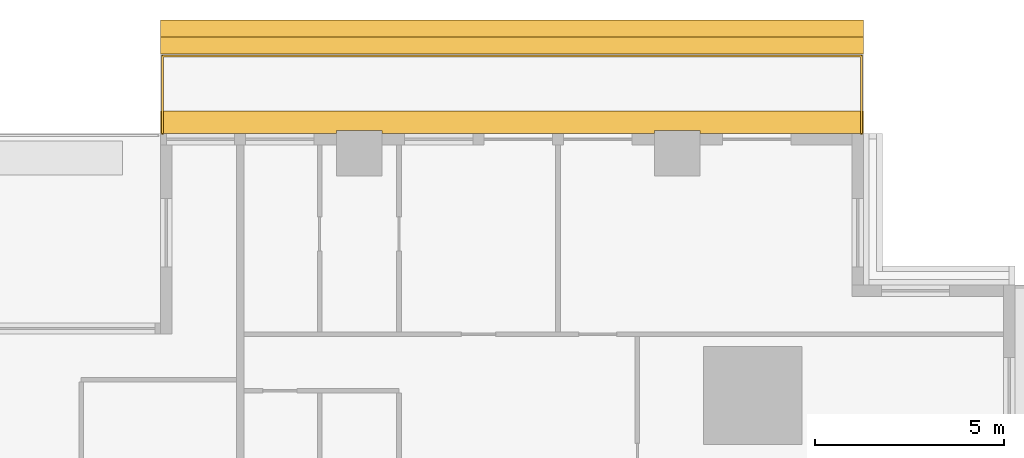
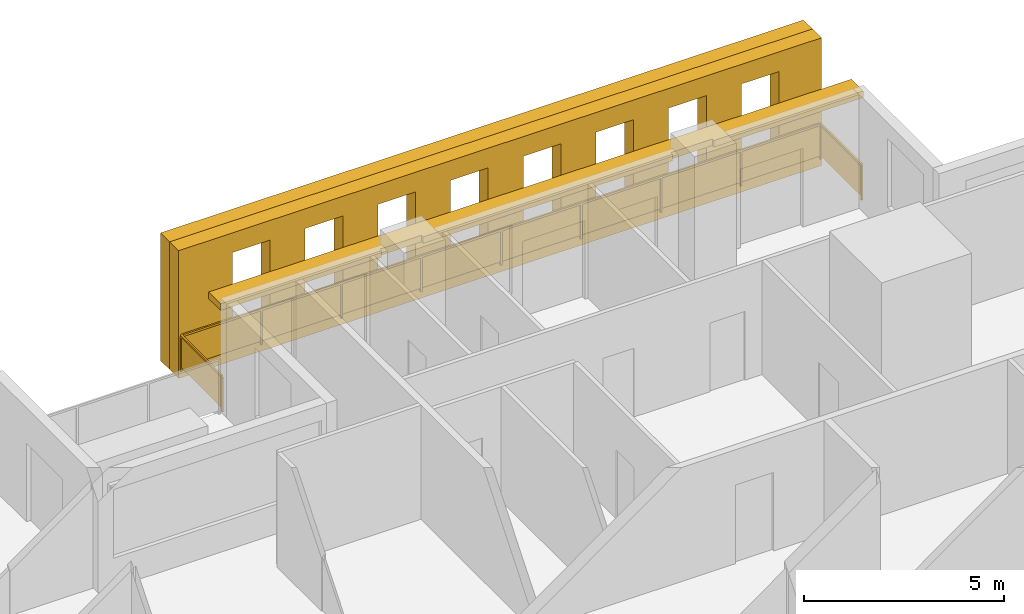
# One storey, part 16 of 16: 3 shading devices, 1 railing.
"""IFC4 building model written with IfcOpenShell, lengths in metres."""

from ifc_helpers import new_model, si_unit, direction, frame, origin, origin_2d, place, context, subcontext, project, spatial, polyline, rectangle, outline, extrude, material, layer, layer_set, type_object, element, save


model = new_model("IFC4")

# Units and contexts
model_context = context("Model", 3, precision=1e-05, world=origin(), true_north=direction((0.0, 1.0)))
body_context = subcontext(model_context, "Body", "Model", "MODEL_VIEW")
ifc_project = project(units=[si_unit("LENGTHUNIT", "METRE"), si_unit("AREAUNIT", "SQUARE_METRE"), si_unit("VOLUMEUNIT", "CUBIC_METRE"), si_unit("PLANEANGLEUNIT", "RADIAN"), si_unit("MASSUNIT", "GRAM", prefix="KILO")], contexts=[model_context])

# Site, building, storey
site_placement = place(None, origin())
site = spatial("IfcSite", under=ifc_project, at=site_placement, CompositionType="ELEMENT")
building_placement = place(site_placement, origin())
building = spatial("IfcBuilding", under=site, at=building_placement, Name="Khepri Terraces", CompositionType="ELEMENT")
storey_placement = place(building_placement, frame((0.0, 0.0, 133.800048828125)))
storey = spatial("IfcBuildingStorey", under=building, at=storey_placement, Name="L31", CompositionType="ELEMENT", Elevation=133.800048828125)

# Railing
ifc_material_1 = material(Name="Stainless steel grade 316", Category="steel")
railing_type = type_object("IfcRailingType", Name="GRD-BAL-1100", PredefinedType="GUARDRAIL", material=ifc_material_1)
railing_placement = place(storey_placement, frame((21.669921875, 25.719970703125, 0.0)))
element("IfcRailing", 1, at=railing_placement, inside=storey, type_object=railing_type, Name="Balcony guard L31 N", PredefinedType="GUARDRAIL", context=body_context, shape_type="SweptSolid", body=[
    extrude(rectangle(XDim=0.050048828125, YDim=0.06005859375, at=origin_2d()), frame((0.0, 0.0, 1.070068359375), z_axis=(0.0, 1.0, 0.0), x_axis=(-1.0, 0.0, 0.0)), (0.0, 0.0, 1.0), 2.050048828125),
    extrude(rectangle(XDim=2.0, YDim=0.011962890625, at=origin_2d()), frame((0.0, 1.02490234375, 0.10009765625), z_axis=(0.0, 0.0, 1.0), x_axis=(0.0, 1.0, 0.0)), (0.0, 0.0, 1.0), 0.93994140625),
    extrude(rectangle(XDim=0.050048828125, YDim=0.06005859375, at=origin_2d()), frame((0.0, 2.050048828125, 1.070068359375), z_axis=(-1.0, 0.0, 0.0), x_axis=(0.0, -1.0, 0.0)), (0.0, 0.0, 1.0), 18.469970703125),
    extrude(rectangle(XDim=2.2587890625, YDim=0.011962890625, at=origin_2d()), frame((-1.154296875, 2.050048828125, 0.10009765625), z_axis=(0.0, 0.0, 1.0), x_axis=(-1.0, 0.0, 0.0)), (0.0, 0.0, 1.0), 0.93994140625),
    extrude(rectangle(XDim=2.2587890625, YDim=0.011962890625, at=origin_2d()), frame((-3.463134765625, 2.050048828125, 0.10009765625), z_axis=(0.0, 0.0, 1.0), x_axis=(-1.0, 0.0, 0.0)), (0.0, 0.0, 1.0), 0.93994140625),
    extrude(rectangle(XDim=2.2587890625, YDim=0.011962890625, at=origin_2d()), frame((-5.77197265625, 2.050048828125, 0.10009765625), z_axis=(0.0, 0.0, 1.0), x_axis=(-1.0, 0.0, 0.0)), (0.0, 0.0, 1.0), 0.93994140625),
    extrude(rectangle(XDim=2.2587890625, YDim=0.011962890625, at=origin_2d()), frame((-8.08056640625, 2.050048828125, 0.10009765625), z_axis=(0.0, 0.0, 1.0), x_axis=(-1.0, 0.0, 0.0)), (0.0, 0.0, 1.0), 0.93994140625),
    extrude(rectangle(XDim=2.2587890625, YDim=0.011962890625, at=origin_2d()), frame((-10.389404296875, 2.050048828125, 0.10009765625), z_axis=(0.0, 0.0, 1.0), x_axis=(-1.0, 0.0, 0.0)), (0.0, 0.0, 1.0), 0.93994140625),
    extrude(rectangle(XDim=2.2587890625, YDim=0.011962890625, at=origin_2d()), frame((-12.697998046875, 2.050048828125, 0.10009765625), z_axis=(0.0, 0.0, 1.0), x_axis=(-1.0, 0.0, 0.0)), (0.0, 0.0, 1.0), 0.93994140625),
    extrude(rectangle(XDim=2.2587890625, YDim=0.011962890625, at=origin_2d()), frame((-15.0068359375, 2.050048828125, 0.10009765625), z_axis=(0.0, 0.0, 1.0), x_axis=(-1.0, 0.0, 0.0)), (0.0, 0.0, 1.0), 0.93994140625),
    extrude(rectangle(XDim=2.2587890625, YDim=0.011962890625, at=origin_2d()), frame((-17.315673828125, 2.050048828125, 0.10009765625), z_axis=(0.0, 0.0, 1.0), x_axis=(-1.0, 0.0, 0.0)), (0.0, 0.0, 1.0), 0.93994140625),
    extrude(rectangle(XDim=0.050048828125, YDim=0.06005859375, at=origin_2d()), frame((-18.469970703125, 2.050048828125, 1.070068359375), z_axis=(0.0, -1.0, 0.0), x_axis=(1.0, 0.0, 0.0)), (0.0, 0.0, 1.0), 2.050048828125),
    extrude(rectangle(XDim=2.0, YDim=0.011962890625, at=origin_2d()), frame((-18.469970703125, 1.02490234375, 0.10009765625), z_axis=(0.0, 0.0, 1.0), x_axis=(0.0, -1.0, 0.0)), (0.0, 0.0, 1.0), 0.93994140625),
    extrude(rectangle(XDim=0.050048828125, YDim=0.050048828125, at=origin_2d()), origin(), (0.0, 0.0, 1.0), 1.0400390625),
    extrude(rectangle(XDim=0.050048828125, YDim=0.050048828125, at=origin_2d()), frame((0.0, 2.050048828125, 0.0)), (0.0, 0.0, 1.0), 1.0400390625),
    extrude(rectangle(XDim=0.050048828125, YDim=0.050048828125, at=origin_2d()), frame((-2.308837890625, 2.050048828125, 0.0)), (0.0, 0.0, 1.0), 1.0400390625),
    extrude(rectangle(XDim=0.050048828125, YDim=0.050048828125, at=origin_2d()), frame((-4.617431640625, 2.050048828125, 0.0)), (0.0, 0.0, 1.0), 1.0400390625),
    extrude(rectangle(XDim=0.050048828125, YDim=0.050048828125, at=origin_2d()), frame((-6.92626953125, 2.050048828125, 0.0)), (0.0, 0.0, 1.0), 1.0400390625),
    extrude(rectangle(XDim=0.050048828125, YDim=0.050048828125, at=origin_2d()), frame((-9.23486328125, 2.050048828125, 0.0)), (0.0, 0.0, 1.0), 1.0400390625),
    extrude(rectangle(XDim=0.050048828125, YDim=0.050048828125, at=origin_2d()), frame((-11.543701171875, 2.050048828125, 0.0)), (0.0, 0.0, 1.0), 1.0400390625),
    extrude(rectangle(XDim=0.050048828125, YDim=0.050048828125, at=origin_2d()), frame((-13.8525390625, 2.050048828125, 0.0)), (0.0, 0.0, 1.0), 1.0400390625),
    extrude(rectangle(XDim=0.050048828125, YDim=0.050048828125, at=origin_2d()), frame((-16.1611328125, 2.050048828125, 0.0)), (0.0, 0.0, 1.0), 1.0400390625),
    extrude(rectangle(XDim=0.050048828125, YDim=0.050048828125, at=origin_2d()), frame((-18.469970703125, 2.050048828125, 0.0)), (0.0, 0.0, 1.0), 1.0400390625),
    extrude(rectangle(XDim=0.050048828125, YDim=0.050048828125, at=origin_2d()), frame((-18.469970703125, 0.0, 0.0)), (0.0, 0.0, 1.0), 1.0400390625),
])

# Shading devices
ifc_material_2 = material(Name="Precast concrete C50/60 warm stone", Category="masonry")
shading_device_type_1 = type_object("IfcShadingDeviceType", Name="SCR-CELL-INNER-450", PredefinedType="USERDEFINED", material=ifc_material_2)
shading_device_1_placement = place(storey_placement, frame((21.719970703125, 27.820068359375, -0.25), z_axis=(0.0, 1.0, 0.0), x_axis=(-1.0, 0.0, 0.0)))
element("IfcShadingDevice", 2, at=shading_device_1_placement, inside=storey, type_object=shading_device_type_1, Name="Cell screen L31 N in", ObjectType="SCREEN", PredefinedType="USERDEFINED", context=body_context, shape_type="SweptSolid", body=[
    extrude(outline(polyline([(0.0, 0.0), (18.570068359375, 0.0), (18.570068359375, 3.89990234375), (0.0, 3.89990234375), (0.0, 0.0)]), holes=[polyline([(1.2265625, 0.699951171875), (2.3134765625, 0.699951171875), (2.3134765625, 3.300048828125), (1.2265625, 3.300048828125), (1.2265625, 0.699951171875)]), polyline([(3.32666015625, 0.699951171875), (4.413330078125, 0.699951171875), (4.413330078125, 3.300048828125), (3.32666015625, 3.300048828125), (3.32666015625, 0.699951171875)]), polyline([(5.426513671875, 0.699951171875), (6.513427734375, 0.699951171875), (6.513427734375, 3.300048828125), (5.426513671875, 3.300048828125), (5.426513671875, 0.699951171875)]), polyline([(7.526611328125, 0.699951171875), (8.61328125, 0.699951171875), (8.61328125, 3.300048828125), (7.526611328125, 3.300048828125), (7.526611328125, 0.699951171875)]), polyline([(9.626708984375, 0.699951171875), (10.71337890625, 0.699951171875), (10.71337890625, 3.300048828125), (9.626708984375, 3.300048828125), (9.626708984375, 0.699951171875)]), polyline([(11.7265625, 0.699951171875), (12.8134765625, 0.699951171875), (12.8134765625, 3.300048828125), (11.7265625, 3.300048828125), (11.7265625, 0.699951171875)]), polyline([(13.82666015625, 0.699951171875), (14.913330078125, 0.699951171875), (14.913330078125, 3.300048828125), (13.82666015625, 3.300048828125), (13.82666015625, 0.699951171875)]), polyline([(15.926513671875, 0.699951171875), (17.013427734375, 0.699951171875), (17.013427734375, 3.300048828125), (15.926513671875, 3.300048828125), (15.926513671875, 0.699951171875)])]), origin(), (0.0, 0.0, 1.0), 0.449951171875),
])
shading_device_type_2 = type_object("IfcShadingDeviceType", Name="SCR-CELL-OUTER-450", PredefinedType="USERDEFINED", material=ifc_material_2)
shading_device_2_placement = place(storey_placement, frame((21.719970703125, 28.27001953125, -0.25), z_axis=(0.0, 1.0, 0.0), x_axis=(-1.0, 0.0, 0.0)))
element("IfcShadingDevice", 3, at=shading_device_2_placement, inside=storey, type_object=shading_device_type_2, Name="Cell screen L31 N out", ObjectType="SCREEN", PredefinedType="USERDEFINED", context=body_context, shape_type="SweptSolid", body=[
    extrude(outline(polyline([(0.0, 0.0), (18.570068359375, 0.0), (18.570068359375, 3.89990234375), (0.0, 3.89990234375), (0.0, 0.0)]), holes=[polyline([(0.876708984375, 0.449951171875), (2.663330078125, 0.449951171875), (2.663330078125, 3.550048828125), (0.876708984375, 3.550048828125), (0.876708984375, 0.449951171875)]), polyline([(2.9765625, 0.449951171875), (4.763427734375, 0.449951171875), (4.763427734375, 3.550048828125), (2.9765625, 3.550048828125), (2.9765625, 0.449951171875)]), polyline([(5.07666015625, 0.449951171875), (6.86328125, 0.449951171875), (6.86328125, 3.550048828125), (5.07666015625, 3.550048828125), (5.07666015625, 0.449951171875)]), polyline([(7.176513671875, 0.449951171875), (8.96337890625, 0.449951171875), (8.96337890625, 3.550048828125), (7.176513671875, 3.550048828125), (7.176513671875, 0.449951171875)]), polyline([(9.276611328125, 0.449951171875), (11.0634765625, 0.449951171875), (11.0634765625, 3.550048828125), (9.276611328125, 3.550048828125), (9.276611328125, 0.449951171875)]), polyline([(11.376708984375, 0.449951171875), (13.163330078125, 0.449951171875), (13.163330078125, 3.550048828125), (11.376708984375, 3.550048828125), (11.376708984375, 0.449951171875)]), polyline([(13.4765625, 0.449951171875), (15.263427734375, 0.449951171875), (15.263427734375, 3.550048828125), (13.4765625, 3.550048828125), (13.4765625, 0.449951171875)]), polyline([(15.57666015625, 0.449951171875), (17.36328125, 0.449951171875), (17.36328125, 3.550048828125), (15.57666015625, 3.550048828125), (15.57666015625, 0.449951171875)])]), origin(), (0.0, 0.0, 1.0), 0.449951171875),
])
ifc_layer = layer(ifc_material_2, 0.199951171875, Name="Precast concrete C50/60 warm stone", Category="masonry")
ifc_layer_set = layer_set([ifc_layer], Name="Precast concrete C50/60 warm stone")
shading_device_type_3 = type_object("IfcShadingDeviceType", Name="SSH-BAND-STONE-200-N", PredefinedType="USERDEFINED", material=ifc_layer_set)
shading_device_3_placement = place(storey_placement, frame((0.0, 0.0, 3.099853515625)))
element("IfcShadingDevice", 4, at=shading_device_3_placement, inside=storey, type_object=shading_device_type_3, Name="Sunshade band L31 N", ObjectType="SUNSHADE", PredefinedType="USERDEFINED", context=body_context, shape_type="SweptSolid", body=[
    extrude(outline(polyline([(17.39990234375, 25.719970703125), (21.719970703125, 25.719970703125), (21.719970703125, 26.320068359375), (3.14990234375, 26.320068359375), (3.14990234375, 25.719970703125), (7.800048828125, 25.719970703125), (7.800048828125, 25.800048828125), (9.0, 25.800048828125), (9.0, 25.719970703125), (16.199951171875, 25.719970703125), (16.199951171875, 25.800048828125), (17.39990234375, 25.800048828125), (17.39990234375, 25.719970703125)])), origin(), (0.0, 0.0, 1.0), 0.2001953125),
])

save(model, "model.ifc")
